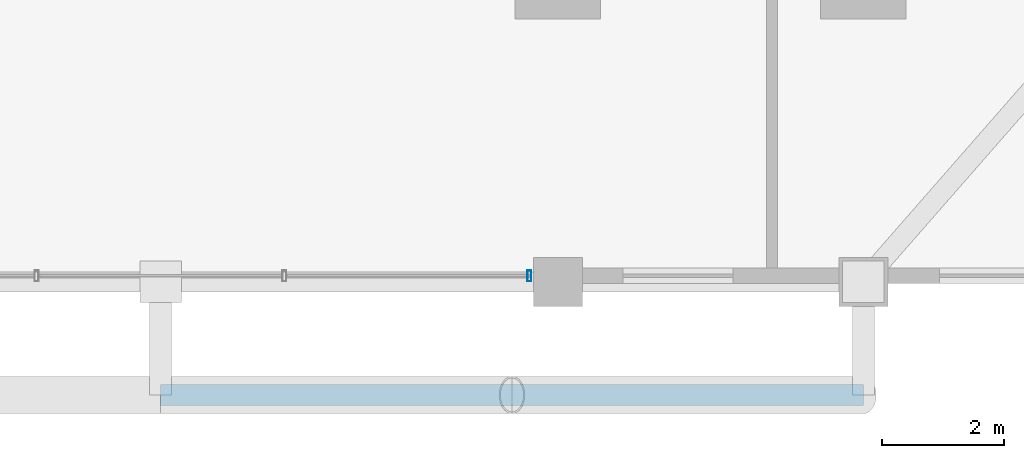
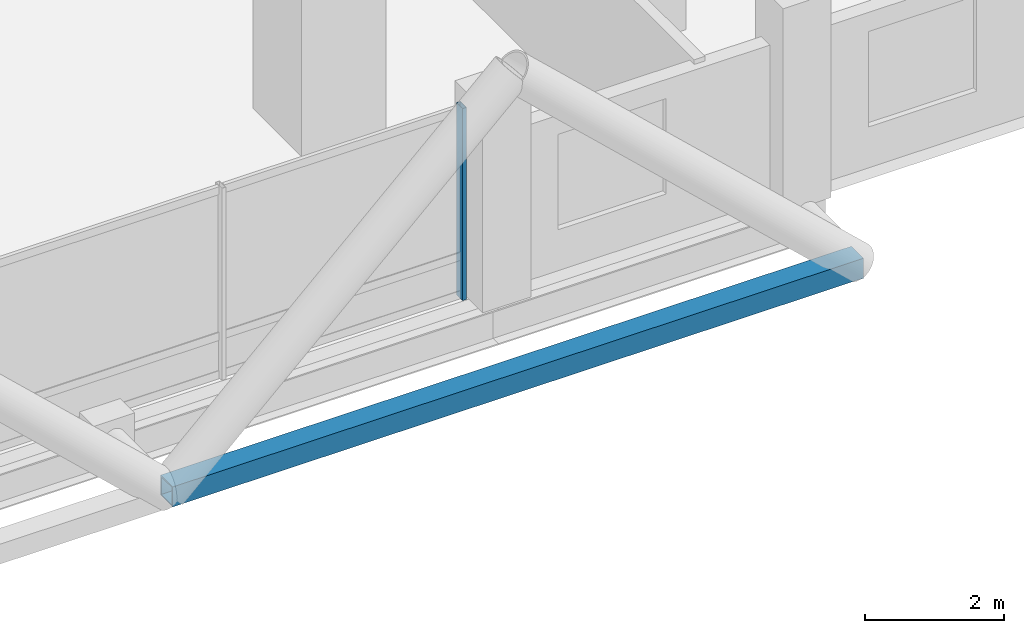
# One storey, part 4 of 27: 2 members, 1 element without a shape of its own.
"""IFC4 building model written with IfcOpenShell, lengths in metres."""

from ifc_helpers import new_model, si_unit, direction, frame, origin, origin_2d, place, context, subcontext, project, spatial, hollow_rectangle, extrude, material, layer, layer_set, material_profile, profile_set, type_object, element, aggregate, save


model = new_model("IFC4")

# Units and contexts
model_context = context("Model", 3, precision=1e-05, world=origin(), true_north=direction((0.0, 1.0)))
body_context = subcontext(model_context, "Body", "Model", "MODEL_VIEW")
ifc_project = project(units=[si_unit("LENGTHUNIT", "METRE"), si_unit("AREAUNIT", "SQUARE_METRE"), si_unit("VOLUMEUNIT", "CUBIC_METRE"), si_unit("PLANEANGLEUNIT", "RADIAN"), si_unit("MASSUNIT", "GRAM", prefix="KILO")], contexts=[model_context])

# Site, building, storey
site_placement = place(None, origin())
site = spatial("IfcSite", under=ifc_project, at=site_placement, CompositionType="ELEMENT")
building_placement = place(site_placement, origin())
building = spatial("IfcBuilding", under=site, at=building_placement, Name="Barlavira Tower and Art Museum", CompositionType="ELEMENT")
storey_placement = place(building_placement, frame((0.0, 0.0, 61.199951171875)))
storey = spatial("IfcBuildingStorey", under=building, at=storey_placement, Name="L14", CompositionType="ELEMENT", Elevation=61.199951171875)

# Curtain wall, member
ifc_material_1 = material(Name="Low-iron coastal laminated glass", Category="glass")
ifc_layer = layer(ifc_material_1, 0.179931640625, Name="Low-iron coastal laminated glass")
ifc_layer_set = layer_set([ifc_layer], Name="Low-iron coastal laminated glass")
curtain_wall_type = type_object("IfcCurtainWallType", Name="Pale-Metal Unitised Curtain Wall Zone 1", PredefinedType="NOTDEFINED", material=ifc_layer_set)
curtain_wall_placement = place(storey_placement, origin())
curtain_wall = element("IfcCurtainWall", 1, at=curtain_wall_placement, inside=storey, type_object=curtain_wall_type, Name="L14 Curtain Wall CW1-L14-S-B3", PredefinedType="NOTDEFINED")
ifc_material_2 = material(Name="Pale anodised aluminium", Category="aluminium")
ifc_material_profile_1 = material_profile(ifc_material_2, hollow_rectangle(XDim=0.06494140625, YDim=0.179931640625, WallThickness=0.00390625, at=origin_2d()), Name="ALU-MULL 65x180x4")
ifc_profile_set_1 = profile_set([ifc_material_profile_1], Name="Pale anodised aluminium")
member_type_1 = type_object("IfcMemberType", Name="Curtain Wall Pale-Metal Mullion 65x180", PredefinedType="MULLION", material=ifc_profile_set_1)
member_1_placement = place(storey_placement, frame((6.034912109375, -24.89990234375, 0.0), z_axis=(0.0, 0.0, 1.0), x_axis=(1.0, 0.0, 0.0)))
member_1 = element("IfcMember", 2, at=member_1_placement, type_object=member_type_1, Name="CW1-L14-S-B3 Mullion 3", PredefinedType="MULLION", context=body_context, shape_type="SweptSolid", body=[
    extrude(hollow_rectangle(XDim=0.06494140625, YDim=0.179931640625, WallThickness=0.00390625, at=origin_2d()), origin(), (0.0, 0.0, 1.0), 3.380126953125),
])
aggregate(curtain_wall, [member_1])

# Member
ifc_material_3 = material(Name="Steel S355", Category="steel")
ifc_material_profile_2 = material_profile(ifc_material_3, hollow_rectangle(XDim=0.35009765625, YDim=0.35009765625, WallThickness=0.02001953125, at=origin_2d()), Name="SHS 350x350x20.0")
ifc_profile_set_2 = profile_set([ifc_material_profile_2], Name="Steel S355")
member_type_2 = type_object("IfcMemberType", Name="Pale-Metal Exoskeleton Ring Strut SHS 350x350x20 Steel S355", PredefinedType="STRUT", material=ifc_profile_set_2)
member_2_placement = place(storey_placement, frame((0.0, -26.85009765625, -0.119873046875), z_axis=(1.0, 0.0, 0.0), x_axis=(0.0, 1.0, 0.0)))
element("IfcMember", 3, at=member_2_placement, inside=storey, type_object=member_type_2, Name="L14 Exoskeleton Ring Strut S", PredefinedType="STRUT", context=body_context, shape_type="SweptSolid", body=[
    extrude(hollow_rectangle(XDim=0.35009765625, YDim=0.35009765625, WallThickness=0.02001953125, at=origin_2d()), origin(), (0.0, 0.0, 1.0), 11.5),
])

save(model, "model.ifc")
